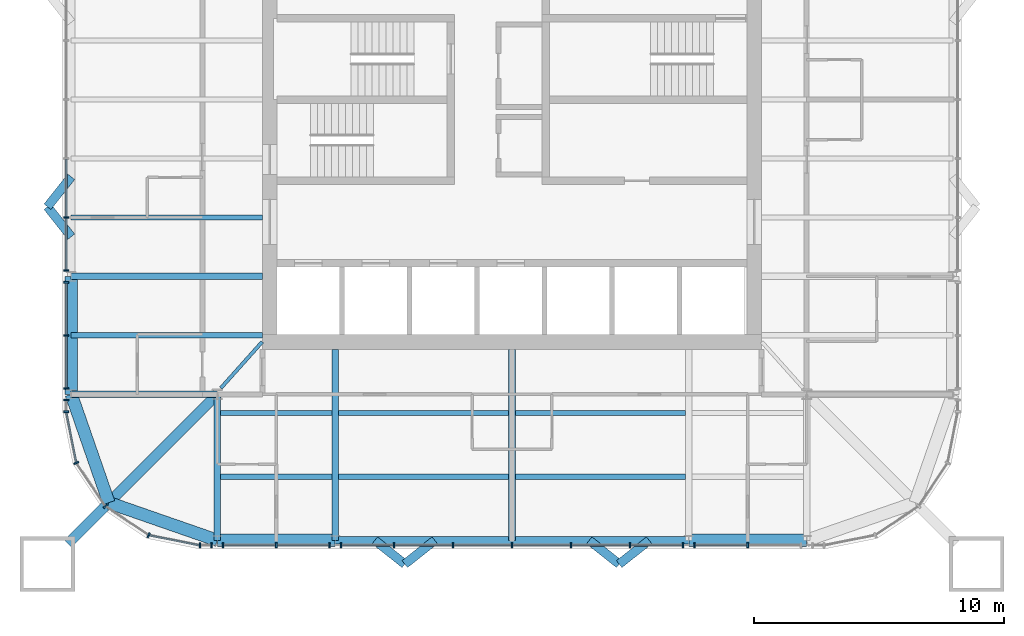
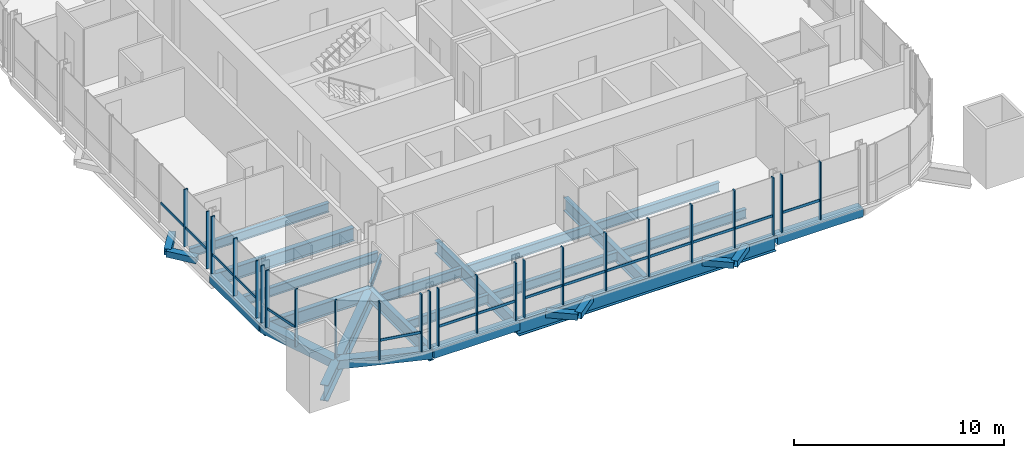
# One storey, part 2 of 17: 39 members, 27 beams, 8 elements without a shape of their own.
"""IFC4 building model written with IfcOpenShell, lengths in metres."""

from ifc_helpers import new_model, si_unit, direction, frame, origin, origin_2d, place, context, subcontext, project, spatial, rectangle, hollow_rectangle, i_section, extrude, material, material_profile, profile_set, type_object, element, aggregate, save


model = new_model("IFC4")

# Units and contexts
model_context = context("Model", 3, precision=1e-05, world=origin(), true_north=direction((0.0, 1.0)))
body_context = subcontext(model_context, "Body", "Model", "MODEL_VIEW")
ifc_project = project(units=[si_unit("LENGTHUNIT", "METRE"), si_unit("AREAUNIT", "SQUARE_METRE"), si_unit("VOLUMEUNIT", "CUBIC_METRE"), si_unit("PLANEANGLEUNIT", "RADIAN"), si_unit("MASSUNIT", "GRAM", prefix="KILO")], contexts=[model_context])

# Site, building, storey
site_placement = place(None, origin())
site = spatial("IfcSite", under=ifc_project, at=site_placement, CompositionType="ELEMENT")
building_placement = place(site_placement, origin())
building = spatial("IfcBuilding", under=site, at=building_placement, Name="Turquesa Mirador Hotel Tower", CompositionType="ELEMENT")
storey_placement = place(building_placement, frame((0.0, 0.0, 244.199951171875)))
storey = spatial("IfcBuildingStorey", under=building, at=storey_placement, Name="L66", CompositionType="ELEMENT", Elevation=244.199951171875)

# Beams
ifc_material_1 = material(Name="Steel ASTM A572 Grade 50", Category="steel")
ifc_material_profile_1 = material_profile(ifc_material_1, hollow_rectangle(XDim=0.5, YDim=0.5, WallThickness=0.01611328125, at=origin_2d()), Name="BOX500X500X16")
ifc_profile_set_1 = profile_set([ifc_material_profile_1], Name="Steel ASTM A572 Grade 50")
beam_type_1 = type_object("IfcBeamType", Name="BEAM BOX500X500X16", PredefinedType="BEAM", material=ifc_profile_set_1)
for number, where, z_axis, x_axis, name in (
    (1, (43.199951171875, 27.35009765625, -0.419921875), (1.0, 0.0, 0.0), (0.0, 1.0, 0.0), "EB-L66-S-L"),
    (2, (62.080078125, 27.35009765625, -0.419921875), (1.0, 0.0, 0.0), (0.0, 1.0, 0.0), "EB-L66-S-R"),
    (3, (37.35009765625, 33.199951171875, -0.419921875), (0.0, 1.0, 0.0), (-1.0, 0.0, 0.0), "EB-L66-W-L"),
):
    element("IfcBeam", number, at=place(storey_placement, frame(where, z_axis=z_axis, x_axis=x_axis)), inside=storey, type_object=beam_type_1, Name=name, PredefinedType="BEAM", context=body_context, shape_type="SweptSolid", body=[
        extrude(hollow_rectangle(XDim=0.5, YDim=0.5, WallThickness=0.01611328125, at=origin_2d()), origin(), (0.0, 0.0, 1.0), 4.719970703125),
    ])
for number, where, z_axis, x_axis, name in (
    (4, (37.35009765625, 33.199951171875, -0.419921875), (0.328170356092, -0.944618556552, 0.0), (0.944618556552, 0.328170356092, 0.0), "KE-L66-3-0"),
    (5, (38.8583984375, 28.8583984375, -0.419921875), (0.944618556552, -0.328170356092, 0.0), (0.328170356092, 0.944618556552, 0.0), "KE-L66-3-1"),
):
    element("IfcBeam", number, at=place(storey_placement, frame(where, z_axis=z_axis, x_axis=x_axis)), inside=storey, type_object=beam_type_1, Name=name, PredefinedType="BEAM", context=body_context, shape_type="SweptSolid", body=[
        extrude(hollow_rectangle(XDim=0.5, YDim=0.5, WallThickness=0.01611328125, at=origin_2d()), origin(), (0.0, 0.0, 1.0), 4.59619140625),
    ])
ifc_material_2 = material(Name="Steel ASTM A992 Grade 50", Category="steel")
ifc_material_profile_2 = material_profile(ifc_material_2, i_section(OverallWidth=0.140380859375, OverallDepth=0.40380859375, WebThickness=0.007080078125, FlangeThickness=0.01123046875, at=origin_2d()), Name="W16X31")
ifc_profile_set_2 = profile_set([ifc_material_profile_2], Name="Steel ASTM A992 Grade 50")
beam_type_2 = type_object("IfcBeamType", Name="BEAM W16X31", PredefinedType="BEAM", material=ifc_profile_set_2)
beam_1_placement = place(storey_placement, frame((43.343505859375, 33.44873046875, -0.371826171875), z_axis=(0.666806350186, 0.745231032198, 0.0), x_axis=(-0.745231032198, 0.666806350186, 0.0)))
element("IfcBeam", 6, at=beam_1_placement, inside=storey, type_object=beam_type_2, Name="KT-L66-3", PredefinedType="BEAM", context=body_context, shape_type="SweptSolid", body=[
    extrude(i_section(OverallWidth=0.140380859375, OverallDepth=0.40380859375, WebThickness=0.007080078125, FlangeThickness=0.01123046875, at=origin_2d()), origin(), (0.0, 0.0, 1.0), 2.484130859375),
])
ifc_material_3 = material(Name="Steel ASTM A992 Grade 50", Category="steel")
ifc_material_profile_3 = material_profile(ifc_material_3, i_section(OverallWidth=0.209228515625, OverallDepth=0.533447265625, WebThickness=0.01025390625, FlangeThickness=0.015625, at=origin_2d()), Name="W21X62")
ifc_profile_set_3 = profile_set([ifc_material_profile_3], Name="Steel ASTM A992 Grade 50")
beam_type_3 = type_object("IfcBeamType", Name="BEAM W21X62", PredefinedType="BEAM", material=ifc_profile_set_3)
beam_2_placement = place(storey_placement, frame((43.333251953125, 32.449951171875, -0.436767578125), z_axis=(1.0, 0.0, 0.0), x_axis=(0.0, 1.0, 0.0)))
element("IfcBeam", 7, at=beam_2_placement, inside=storey, type_object=beam_type_3, Name="IB-L66-S-1-0", PredefinedType="BEAM", context=body_context, shape_type="SweptSolid", body=[
    extrude(i_section(OverallWidth=0.209228515625, OverallDepth=0.533447265625, WebThickness=0.01025390625, FlangeThickness=0.015625, at=origin_2d()), origin(), (0.0, 0.0, 1.0), 4.453369140625),
])
for number, where, z_axis, x_axis, name in (
    (8, (48.053466796875, 32.449951171875, -0.436767578125), (1.0, 0.0, 0.0), (0.0, 1.0, 0.0), "IB-L66-S-1-1"),
    (9, (55.13330078125, 32.449951171875, -0.436767578125), (1.0, 0.0, 0.0), (0.0, 1.0, 0.0), "IB-L66-S-1-2"),
):
    element("IfcBeam", number, at=place(storey_placement, frame(where, z_axis=z_axis, x_axis=x_axis)), inside=storey, type_object=beam_type_3, Name=name, PredefinedType="BEAM", context=body_context, shape_type="SweptSolid", body=[
        extrude(i_section(OverallWidth=0.209228515625, OverallDepth=0.533447265625, WebThickness=0.01025390625, FlangeThickness=0.015625, at=origin_2d()), origin(), (0.0, 0.0, 1.0), 6.813232421875),
    ])
beam_3_placement = place(storey_placement, frame((43.333251953125, 29.89990234375, -0.436767578125), z_axis=(1.0, 0.0, 0.0), x_axis=(0.0, 1.0, 0.0)))
element("IfcBeam", 10, at=beam_3_placement, inside=storey, type_object=beam_type_3, Name="IB-L66-S-2-0", PredefinedType="BEAM", context=body_context, shape_type="SweptSolid", body=[
    extrude(i_section(OverallWidth=0.209228515625, OverallDepth=0.533447265625, WebThickness=0.01025390625, FlangeThickness=0.015625, at=origin_2d()), origin(), (0.0, 0.0, 1.0), 4.453369140625),
])
for number, where, z_axis, x_axis, name in (
    (11, (48.053466796875, 29.89990234375, -0.436767578125), (1.0, 0.0, 0.0), (0.0, 1.0, 0.0), "IB-L66-S-2-1"),
    (12, (55.13330078125, 29.89990234375, -0.436767578125), (1.0, 0.0, 0.0), (0.0, 1.0, 0.0), "IB-L66-S-2-2"),
):
    element("IfcBeam", number, at=place(storey_placement, frame(where, z_axis=z_axis, x_axis=x_axis)), inside=storey, type_object=beam_type_3, Name=name, PredefinedType="BEAM", context=body_context, shape_type="SweptSolid", body=[
        extrude(i_section(OverallWidth=0.209228515625, OverallDepth=0.533447265625, WebThickness=0.01025390625, FlangeThickness=0.015625, at=origin_2d()), origin(), (0.0, 0.0, 1.0), 6.813232421875),
    ])
for number, where, z_axis, x_axis, name in (
    (13, (37.35009765625, 35.56005859375, -0.436767578125), (1.0, 0.0, 0.0), (0.0, 1.0, 0.0), "BM-L66-W--9.44"),
    (14, (37.35009765625, 40.280029296875, -0.436767578125), (1.0, 0.0, 0.0), (0.0, 1.0, 0.0), "BM-L66-W--4.72"),
):
    element("IfcBeam", number, at=place(storey_placement, frame(where, z_axis=z_axis, x_axis=x_axis)), inside=storey, type_object=beam_type_3, Name=name, PredefinedType="BEAM", context=body_context, shape_type="SweptSolid", body=[
        extrude(i_section(OverallWidth=0.209228515625, OverallDepth=0.533447265625, WebThickness=0.01025390625, FlangeThickness=0.015625, at=origin_2d()), origin(), (0.0, 0.0, 1.0), 7.64990234375),
    ])
ifc_material_4 = material(Name="Steel ASTM A992 Grade 50", Category="steel")
ifc_material_profile_4 = material_profile(ifc_material_4, i_section(OverallWidth=0.2666015625, OverallDepth=0.7568359375, WebThickness=0.013916015625, FlangeThickness=0.019287109375, at=origin_2d()), Name="W30X108")
ifc_profile_set_4 = profile_set([ifc_material_profile_4], Name="Steel ASTM A992 Grade 50")
beam_type_4 = type_object("IfcBeamType", Name="BEAM W30X108", PredefinedType="BEAM", material=ifc_profile_set_4)
for number, where, z_axis, x_axis, name in (
    (15, (47.919921875, 27.35009765625, -0.54833984375), (0.0, 1.0, 0.0), (-1.0, 0.0, 0.0), "GD-L66-S--7.08"),
    (16, (55.0, 27.35009765625, -0.54833984375), (0.0, 1.0, 0.0), (-1.0, 0.0, 0.0), "GD-L66-S-+0.00"),
):
    element("IfcBeam", number, at=place(storey_placement, frame(where, z_axis=z_axis, x_axis=x_axis)), inside=storey, type_object=beam_type_4, Name=name, PredefinedType="BEAM", context=body_context, shape_type="SweptSolid", body=[
        extrude(i_section(OverallWidth=0.2666015625, OverallDepth=0.7568359375, WebThickness=0.013916015625, FlangeThickness=0.019287109375, at=origin_2d()), origin(), (0.0, 0.0, 1.0), 7.64990234375),
    ])
beam_4_placement = place(storey_placement, frame((43.199951171875, 27.35009765625, -0.54833984375), z_axis=(0.0, 1.0, 0.0), x_axis=(-1.0, 0.0, 0.0)))
element("IfcBeam", 17, at=beam_4_placement, inside=storey, type_object=beam_type_4, Name="GK-L66-S--11.80", PredefinedType="BEAM", context=body_context, shape_type="SweptSolid", body=[
    extrude(i_section(OverallWidth=0.2666015625, OverallDepth=0.7568359375, WebThickness=0.013916015625, FlangeThickness=0.019287109375, at=origin_2d()), origin(), (0.0, 0.0, 1.0), 5.849853515625),
])
beam_5_placement = place(storey_placement, frame((37.35009765625, 37.919921875, -0.54833984375), z_axis=(1.0, 0.0, 0.0), x_axis=(0.0, 1.0, 0.0)))
element("IfcBeam", 18, at=beam_5_placement, inside=storey, type_object=beam_type_4, Name="GD-L66-W--7.08", PredefinedType="BEAM", context=body_context, shape_type="SweptSolid", body=[
    extrude(i_section(OverallWidth=0.2666015625, OverallDepth=0.7568359375, WebThickness=0.013916015625, FlangeThickness=0.019287109375, at=origin_2d()), origin(), (0.0, 0.0, 1.0), 7.64990234375),
])
beam_6_placement = place(storey_placement, frame((37.35009765625, 33.199951171875, -0.54833984375), z_axis=(1.0, 0.0, 0.0), x_axis=(0.0, 1.0, 0.0)))
element("IfcBeam", 19, at=beam_6_placement, inside=storey, type_object=beam_type_4, Name="GK-L66-W--11.80", PredefinedType="BEAM", context=body_context, shape_type="SweptSolid", body=[
    extrude(i_section(OverallWidth=0.2666015625, OverallDepth=0.7568359375, WebThickness=0.013916015625, FlangeThickness=0.019287109375, at=origin_2d()), origin(), (0.0, 0.0, 1.0), 5.849853515625),
])
ifc_material_5 = material(Name="Steel ASTM A992 Grade 50", Category="steel")
ifc_material_profile_5 = material_profile(ifc_material_5, i_section(OverallWidth=0.3046875, OverallDepth=0.911865234375, WebThickness=0.015869140625, FlangeThickness=0.02392578125, at=origin_2d()), Name="W36X150")
ifc_profile_set_5 = profile_set([ifc_material_profile_5], Name="Steel ASTM A992 Grade 50")
beam_type_5 = type_object("IfcBeamType", Name="BEAM W36X150", PredefinedType="BEAM", material=ifc_profile_set_5)
beam_7_placement = place(storey_placement, frame((47.919921875, 27.35009765625, -0.6259765625), z_axis=(1.0, 0.0, 0.0), x_axis=(0.0, 1.0, 0.0)))
element("IfcBeam", 20, at=beam_7_placement, inside=storey, type_object=beam_type_5, Name="EB-L66-S-C", PredefinedType="BEAM", context=body_context, shape_type="SweptSolid", body=[
    extrude(i_section(OverallWidth=0.3046875, OverallDepth=0.911865234375, WebThickness=0.015869140625, FlangeThickness=0.02392578125, at=origin_2d()), origin(), (0.0, 0.0, 1.0), 14.16015625),
])
ifc_material_6 = material(Name="Steel ASTM A992 Grade 50", Category="steel")
ifc_material_profile_6 = material_profile(ifc_material_6, i_section(OverallWidth=0.419189453125, OverallDepth=0.927001953125, WebThickness=0.019287109375, FlangeThickness=0.031982421875, at=origin_2d()), Name="W36X231")
ifc_profile_set_6 = profile_set([ifc_material_profile_6], Name="Steel ASTM A992 Grade 50")
beam_type_6 = type_object("IfcBeamType", Name="BEAM W36X231", PredefinedType="BEAM", material=ifc_profile_set_6)
beam_8_placement = place(storey_placement, frame((43.199951171875, 33.199951171875, -0.633544921875), z_axis=(-0.707106781187, -0.707106781187, 0.0), x_axis=(0.707106781187, -0.707106781187, 0.0)))
element("IfcBeam", 21, at=beam_8_placement, inside=storey, type_object=beam_type_6, Name="KD-L66-3", PredefinedType="BEAM", context=body_context, shape_type="SweptSolid", body=[
    extrude(i_section(OverallWidth=0.419189453125, OverallDepth=0.927001953125, WebThickness=0.019287109375, FlangeThickness=0.031982421875, at=origin_2d()), origin(), (0.0, 0.0, 1.0), 8.46240234375),
])
ifc_material_7 = material(Name="Steel ASTM A500 Grade C", Category="steel")
ifc_material_profile_7 = material_profile(ifc_material_7, hollow_rectangle(XDim=0.355712890625, YDim=0.355712890625, WallThickness=0.0146484375, at=origin_2d()), Name="HSS14X14X5/8")
ifc_profile_set_7 = profile_set([ifc_material_profile_7], Name="Steel ASTM A500 Grade C")
beam_type_7 = type_object("IfcBeamType", Name="BRACE STRUT HSS14X14X5/8", PredefinedType="BEAM", material=ifc_profile_set_7)
for number, where, z_axis, x_axis, name in (
    (22, (50.707763671875, 26.39990234375, -0.34765625), (-0.783971428146, 0.620796907089, 0.0), (-0.620796907089, -0.783971428146, 0.0), "Brace strut"),
    (23, (50.707763671875, 26.39990234375, -0.34765625), (0.783971428146, 0.620796907089, 0.0), (-0.620796907089, 0.783971428146, 0.0), "Brace strut"),
    (24, (59.292236328125, 26.39990234375, -0.34765625), (-0.783971428146, 0.620796907089, 0.0), (-0.620796907089, -0.783971428146, 0.0), "Brace strut"),
    (25, (59.292236328125, 26.39990234375, -0.34765625), (0.783971428146, 0.620796907089, 0.0), (-0.620796907089, 0.783971428146, 0.0), "Brace strut"),
    (26, (36.39990234375, 40.707763671875, -0.34765625), (0.620796907089, -0.783971428146, 0.0), (0.783971428146, 0.620796907089, 0.0), "Brace strut"),
    (27, (36.39990234375, 40.707763671875, -0.34765625), (0.620796907089, 0.783971428146, 0.0), (-0.783971428146, 0.620796907089, 0.0), "Brace strut"),
):
    element("IfcBeam", number, at=place(storey_placement, frame(where, z_axis=z_axis, x_axis=x_axis)), inside=storey, type_object=beam_type_7, Name=name, PredefinedType="BEAM", context=body_context, shape_type="SweptSolid", body=[
        extrude(hollow_rectangle(XDim=0.355712890625, YDim=0.355712890625, WallThickness=0.0146484375, at=origin_2d()), origin(), (0.0, 0.0, 1.0), 1.530517578125),
    ])

# Curtain wall, members
ifc_material_8 = material(Name="Aluminium extrusion", Category="aluminium")
curtain_wall_type = type_object("IfcCurtainWallType", Name="CW-4 SUITE FRITTED CURTAIN WALL", PredefinedType="USERDEFINED", material=ifc_material_8)
curtain_wall_1_placement = place(storey_placement, origin())
curtain_wall_1 = element("IfcCurtainWall", 28, at=curtain_wall_1_placement, inside=storey, type_object=curtain_wall_type, Name="CW-4 SUITE FRITTED CURTAIN WALL L66", ObjectType="CURTAIN WALL", PredefinedType="USERDEFINED")
ifc_material_9 = material(Name="Aluminium extrusion", Category="aluminium")
ifc_material_profile_8 = material_profile(ifc_material_9, rectangle(XDim=0.06494140625, YDim=0.199951171875, at=origin_2d()), Name="MULLION 65X200")
ifc_profile_set_8 = profile_set([ifc_material_profile_8], Name="Aluminium extrusion")
member_type_1 = type_object("IfcMemberType", Name="CW MULLION 65X200", PredefinedType="MULLION", material=ifc_profile_set_8)
member_1_placement = place(storey_placement, frame((37.14990234375, 40.280029296875, 0.0), z_axis=(0.0, 0.0, 1.0), x_axis=(0.0, -1.0, 0.0)))
member_1 = element("IfcMember", 29, at=member_1_placement, type_object=member_type_1, Name="Mullion", PredefinedType="MULLION", context=body_context, shape_type="SweptSolid", body=[
    extrude(rectangle(XDim=0.06494140625, YDim=0.199951171875, at=origin_2d()), origin(), (0.0, 0.0, 1.0), 3.330078125),
])
member_2_placement = place(storey_placement, frame((37.14990234375, 38.15380859375, 0.0), z_axis=(0.0, 0.0, 1.0), x_axis=(0.0, -1.0, 0.0)))
member_2 = element("IfcMember", 30, at=member_2_placement, type_object=member_type_1, Name="Mullion", PredefinedType="MULLION", context=body_context, shape_type="SweptSolid", body=[
    extrude(rectangle(XDim=0.06494140625, YDim=0.199951171875, at=origin_2d()), origin(), (0.0, 0.0, 1.0), 3.330078125),
])

curtain_wall_2_placement = place(storey_placement, origin())
curtain_wall_2 = element("IfcCurtainWall", 31, at=curtain_wall_2_placement, inside=storey, type_object=curtain_wall_type, Name="CW-4 SUITE FRITTED CURTAIN WALL L66", ObjectType="CURTAIN WALL", PredefinedType="USERDEFINED")
member_3_placement = place(storey_placement, frame((37.14990234375, 37.68603515625, 0.0), z_axis=(0.0, 0.0, 1.0), x_axis=(0.0, -1.0, 0.0)))
member_3 = element("IfcMember", 32, at=member_3_placement, type_object=member_type_1, Name="Mullion", PredefinedType="MULLION", context=body_context, shape_type="SweptSolid", body=[
    extrude(rectangle(XDim=0.06494140625, YDim=0.199951171875, at=origin_2d()), origin(), (0.0, 0.0, 1.0), 3.330078125),
])
member_4_placement = place(storey_placement, frame((37.14990234375, 35.56005859375, 0.0), z_axis=(0.0, 0.0, 1.0), x_axis=(0.0, -1.0, 0.0)))
member_4 = element("IfcMember", 33, at=member_4_placement, type_object=member_type_1, Name="Mullion", PredefinedType="MULLION", context=body_context, shape_type="SweptSolid", body=[
    extrude(rectangle(XDim=0.06494140625, YDim=0.199951171875, at=origin_2d()), origin(), (0.0, 0.0, 1.0), 3.330078125),
])
member_5_placement = place(storey_placement, frame((37.14990234375, 33.433837890625, 0.0), z_axis=(0.0, 0.0, 1.0), x_axis=(0.0, -1.0, 0.0)))
member_5 = element("IfcMember", 34, at=member_5_placement, type_object=member_type_1, Name="Mullion", PredefinedType="MULLION", context=body_context, shape_type="SweptSolid", body=[
    extrude(rectangle(XDim=0.06494140625, YDim=0.199951171875, at=origin_2d()), origin(), (0.0, 0.0, 1.0), 3.330078125),
])

curtain_wall_3_placement = place(storey_placement, origin())
curtain_wall_3 = element("IfcCurtainWall", 35, at=curtain_wall_3_placement, inside=storey, type_object=curtain_wall_type, Name="CW-4 SUITE FRITTED CURTAIN WALL L66", ObjectType="CURTAIN WALL", PredefinedType="USERDEFINED")
member_6_placement = place(storey_placement, frame((37.14990234375, 32.966064453125, 0.0), z_axis=(0.0, 0.0, 1.0), x_axis=(0.0, -1.0, 0.0)))
member_6 = element("IfcMember", 36, at=member_6_placement, type_object=member_type_1, Name="Mullion", PredefinedType="MULLION", context=body_context, shape_type="SweptSolid", body=[
    extrude(rectangle(XDim=0.06494140625, YDim=0.199951171875, at=origin_2d()), origin(), (0.0, 0.0, 1.0), 3.330078125),
])
member_7_placement = place(storey_placement, frame((37.14990234375, 32.5, 0.0), z_axis=(0.0, 0.0, 1.0), x_axis=(0.0, -1.0, 0.0)))
member_7 = element("IfcMember", 37, at=member_7_placement, type_object=member_type_1, Name="Mullion", PredefinedType="MULLION", context=body_context, shape_type="SweptSolid", body=[
    extrude(rectangle(XDim=0.06494140625, YDim=0.199951171875, at=origin_2d()), origin(), (0.0, 0.0, 1.0), 3.330078125),
])
aggregate(curtain_wall_3, [member_6, member_7])

curtain_wall_4_placement = place(storey_placement, origin())
curtain_wall_4 = element("IfcCurtainWall", 38, at=curtain_wall_4_placement, inside=storey, type_object=curtain_wall_type, Name="CW-4 SUITE FRITTED CURTAIN WALL L66", ObjectType="CURTAIN WALL", PredefinedType="USERDEFINED")
member_8_placement = place(storey_placement, frame((37.55712890625, 30.45263671875, 0.0), z_axis=(0.0, 0.0, 1.0), x_axis=(0.382683432365, -0.923879532511, 0.0)))
member_8 = element("IfcMember", 39, at=member_8_placement, type_object=member_type_1, Name="Mullion", PredefinedType="MULLION", context=body_context, shape_type="SweptSolid", body=[
    extrude(rectangle(XDim=0.06494140625, YDim=0.199951171875, at=origin_2d()), origin(), (0.0, 0.0, 1.0), 3.330078125),
])
member_9_placement = place(storey_placement, frame((38.717041015625, 28.717041015625, 0.0), z_axis=(0.0, 0.0, 1.0), x_axis=(0.707106781187, -0.707106781187, 0.0)))
member_9 = element("IfcMember", 40, at=member_9_placement, type_object=member_type_1, Name="Mullion", PredefinedType="MULLION", context=body_context, shape_type="SweptSolid", body=[
    extrude(rectangle(XDim=0.06494140625, YDim=0.199951171875, at=origin_2d()), origin(), (0.0, 0.0, 1.0), 3.330078125),
])
member_10_placement = place(storey_placement, frame((40.45263671875, 27.55712890625, 0.0), z_axis=(0.0, 0.0, 1.0), x_axis=(0.923879532511, -0.382683432365, 0.0)))
member_10 = element("IfcMember", 41, at=member_10_placement, type_object=member_type_1, Name="Mullion", PredefinedType="MULLION", context=body_context, shape_type="SweptSolid", body=[
    extrude(rectangle(XDim=0.06494140625, YDim=0.199951171875, at=origin_2d()), origin(), (0.0, 0.0, 1.0), 3.330078125),
])

curtain_wall_5_placement = place(storey_placement, origin())
curtain_wall_5 = element("IfcCurtainWall", 42, at=curtain_wall_5_placement, inside=storey, type_object=curtain_wall_type, Name="CW-4 SUITE FRITTED CURTAIN WALL L66", ObjectType="CURTAIN WALL", PredefinedType="USERDEFINED")
member_11_placement = place(storey_placement, frame((42.5, 27.14990234375, 0.0), z_axis=(0.0, 0.0, 1.0), x_axis=(1.0, 0.0, 0.0)))
member_11 = element("IfcMember", 43, at=member_11_placement, type_object=member_type_1, Name="Mullion", PredefinedType="MULLION", context=body_context, shape_type="SweptSolid", body=[
    extrude(rectangle(XDim=0.06494140625, YDim=0.199951171875, at=origin_2d()), origin(), (0.0, 0.0, 1.0), 3.330078125),
])
member_12_placement = place(storey_placement, frame((42.966064453125, 27.14990234375, 0.0), z_axis=(0.0, 0.0, 1.0), x_axis=(1.0, 0.0, 0.0)))
member_12 = element("IfcMember", 44, at=member_12_placement, type_object=member_type_1, Name="Mullion", PredefinedType="MULLION", context=body_context, shape_type="SweptSolid", body=[
    extrude(rectangle(XDim=0.06494140625, YDim=0.199951171875, at=origin_2d()), origin(), (0.0, 0.0, 1.0), 3.330078125),
])
aggregate(curtain_wall_5, [member_11, member_12])

curtain_wall_6_placement = place(storey_placement, origin())
curtain_wall_6 = element("IfcCurtainWall", 45, at=curtain_wall_6_placement, inside=storey, type_object=curtain_wall_type, Name="CW-4 SUITE FRITTED CURTAIN WALL L66", ObjectType="CURTAIN WALL", PredefinedType="USERDEFINED")
member_13_placement = place(storey_placement, frame((43.433837890625, 27.14990234375, 0.0), z_axis=(0.0, 0.0, 1.0), x_axis=(1.0, 0.0, 0.0)))
member_13 = element("IfcMember", 46, at=member_13_placement, type_object=member_type_1, Name="Mullion", PredefinedType="MULLION", context=body_context, shape_type="SweptSolid", body=[
    extrude(rectangle(XDim=0.06494140625, YDim=0.199951171875, at=origin_2d()), origin(), (0.0, 0.0, 1.0), 3.330078125),
])
member_14_placement = place(storey_placement, frame((45.56005859375, 27.14990234375, 0.0), z_axis=(0.0, 0.0, 1.0), x_axis=(1.0, 0.0, 0.0)))
member_14 = element("IfcMember", 47, at=member_14_placement, type_object=member_type_1, Name="Mullion", PredefinedType="MULLION", context=body_context, shape_type="SweptSolid", body=[
    extrude(rectangle(XDim=0.06494140625, YDim=0.199951171875, at=origin_2d()), origin(), (0.0, 0.0, 1.0), 3.330078125),
])
member_15_placement = place(storey_placement, frame((47.68603515625, 27.14990234375, 0.0), z_axis=(0.0, 0.0, 1.0), x_axis=(1.0, 0.0, 0.0)))
member_15 = element("IfcMember", 48, at=member_15_placement, type_object=member_type_1, Name="Mullion", PredefinedType="MULLION", context=body_context, shape_type="SweptSolid", body=[
    extrude(rectangle(XDim=0.06494140625, YDim=0.199951171875, at=origin_2d()), origin(), (0.0, 0.0, 1.0), 3.330078125),
])

curtain_wall_7_placement = place(storey_placement, origin())
curtain_wall_7 = element("IfcCurtainWall", 49, at=curtain_wall_7_placement, inside=storey, type_object=curtain_wall_type, Name="CW-4 SUITE FRITTED CURTAIN WALL L66", ObjectType="CURTAIN WALL", PredefinedType="USERDEFINED")
member_16_placement = place(storey_placement, frame((48.15380859375, 27.14990234375, 0.0), z_axis=(0.0, 0.0, 1.0), x_axis=(1.0, 0.0, 0.0)))
member_16 = element("IfcMember", 50, at=member_16_placement, type_object=member_type_1, Name="Mullion", PredefinedType="MULLION", context=body_context, shape_type="SweptSolid", body=[
    extrude(rectangle(XDim=0.06494140625, YDim=0.199951171875, at=origin_2d()), origin(), (0.0, 0.0, 1.0), 3.330078125),
])
member_17_placement = place(storey_placement, frame((50.280029296875, 27.14990234375, 0.0), z_axis=(0.0, 0.0, 1.0), x_axis=(1.0, 0.0, 0.0)))
member_17 = element("IfcMember", 51, at=member_17_placement, type_object=member_type_1, Name="Mullion", PredefinedType="MULLION", context=body_context, shape_type="SweptSolid", body=[
    extrude(rectangle(XDim=0.06494140625, YDim=0.199951171875, at=origin_2d()), origin(), (0.0, 0.0, 1.0), 3.330078125),
])
member_18_placement = place(storey_placement, frame((52.639892578125, 27.14990234375, 0.0), z_axis=(0.0, 0.0, 1.0), x_axis=(1.0, 0.0, 0.0)))
member_18 = element("IfcMember", 52, at=member_18_placement, type_object=member_type_1, Name="Mullion", PredefinedType="MULLION", context=body_context, shape_type="SweptSolid", body=[
    extrude(rectangle(XDim=0.06494140625, YDim=0.199951171875, at=origin_2d()), origin(), (0.0, 0.0, 1.0), 3.330078125),
])
member_19_placement = place(storey_placement, frame((55.0, 27.14990234375, 0.0), z_axis=(0.0, 0.0, 1.0), x_axis=(1.0, 0.0, 0.0)))
member_19 = element("IfcMember", 53, at=member_19_placement, type_object=member_type_1, Name="Mullion", PredefinedType="MULLION", context=body_context, shape_type="SweptSolid", body=[
    extrude(rectangle(XDim=0.06494140625, YDim=0.199951171875, at=origin_2d()), origin(), (0.0, 0.0, 1.0), 3.330078125),
])
member_20_placement = place(storey_placement, frame((57.360107421875, 27.14990234375, 0.0), z_axis=(0.0, 0.0, 1.0), x_axis=(1.0, 0.0, 0.0)))
member_20 = element("IfcMember", 54, at=member_20_placement, type_object=member_type_1, Name="Mullion", PredefinedType="MULLION", context=body_context, shape_type="SweptSolid", body=[
    extrude(rectangle(XDim=0.06494140625, YDim=0.199951171875, at=origin_2d()), origin(), (0.0, 0.0, 1.0), 3.330078125),
])
member_21_placement = place(storey_placement, frame((59.719970703125, 27.14990234375, 0.0), z_axis=(0.0, 0.0, 1.0), x_axis=(1.0, 0.0, 0.0)))
member_21 = element("IfcMember", 55, at=member_21_placement, type_object=member_type_1, Name="Mullion", PredefinedType="MULLION", context=body_context, shape_type="SweptSolid", body=[
    extrude(rectangle(XDim=0.06494140625, YDim=0.199951171875, at=origin_2d()), origin(), (0.0, 0.0, 1.0), 3.330078125),
])
member_22_placement = place(storey_placement, frame((61.84619140625, 27.14990234375, 0.0), z_axis=(0.0, 0.0, 1.0), x_axis=(1.0, 0.0, 0.0)))
member_22 = element("IfcMember", 56, at=member_22_placement, type_object=member_type_1, Name="Mullion", PredefinedType="MULLION", context=body_context, shape_type="SweptSolid", body=[
    extrude(rectangle(XDim=0.06494140625, YDim=0.199951171875, at=origin_2d()), origin(), (0.0, 0.0, 1.0), 3.330078125),
])

curtain_wall_8_placement = place(storey_placement, origin())
curtain_wall_8 = element("IfcCurtainWall", 57, at=curtain_wall_8_placement, inside=storey, type_object=curtain_wall_type, Name="CW-4 SUITE FRITTED CURTAIN WALL L66", ObjectType="CURTAIN WALL", PredefinedType="USERDEFINED")
member_23_placement = place(storey_placement, frame((62.31396484375, 27.14990234375, 0.0), z_axis=(0.0, 0.0, 1.0), x_axis=(1.0, 0.0, 0.0)))
member_23 = element("IfcMember", 58, at=member_23_placement, type_object=member_type_1, Name="Mullion", PredefinedType="MULLION", context=body_context, shape_type="SweptSolid", body=[
    extrude(rectangle(XDim=0.06494140625, YDim=0.199951171875, at=origin_2d()), origin(), (0.0, 0.0, 1.0), 3.330078125),
])
member_24_placement = place(storey_placement, frame((64.43994140625, 27.14990234375, 0.0), z_axis=(0.0, 0.0, 1.0), x_axis=(1.0, 0.0, 0.0)))
member_24 = element("IfcMember", 59, at=member_24_placement, type_object=member_type_1, Name="Mullion", PredefinedType="MULLION", context=body_context, shape_type="SweptSolid", body=[
    extrude(rectangle(XDim=0.06494140625, YDim=0.199951171875, at=origin_2d()), origin(), (0.0, 0.0, 1.0), 3.330078125),
])

# Member
ifc_material_10 = material(Name="Aluminium extrusion", Category="aluminium")
ifc_material_profile_9 = material_profile(ifc_material_10, rectangle(XDim=0.06494140625, YDim=0.14990234375, at=origin_2d()), Name="TRANSOM 65X150")
ifc_profile_set_9 = profile_set([ifc_material_profile_9], Name="Aluminium extrusion")
member_type_2 = type_object("IfcMemberType", Name="CW TRANSOM 65X150", PredefinedType="USERDEFINED", material=ifc_profile_set_9)
member_25_placement = place(storey_placement, frame((37.14990234375, 42.607421875, 1.10009765625), z_axis=(0.0, -1.0, 0.0), x_axis=(1.0, 0.0, 0.0)))
member_25 = element("IfcMember", 60, at=member_25_placement, type_object=member_type_2, Name="Transom", ObjectType="TRANSOM", PredefinedType="USERDEFINED", context=body_context, shape_type="SweptSolid", body=[
    extrude(rectangle(XDim=0.06494140625, YDim=0.14990234375, at=origin_2d()), origin(), (0.0, 0.0, 1.0), 2.294921875),
])

member_26_placement = place(storey_placement, frame((37.14990234375, 40.24755859375, 1.10009765625), z_axis=(0.0, -1.0, 0.0), x_axis=(1.0, 0.0, 0.0)))
member_26 = element("IfcMember", 61, at=member_26_placement, type_object=member_type_2, Name="Transom", ObjectType="TRANSOM", PredefinedType="USERDEFINED", context=body_context, shape_type="SweptSolid", body=[
    extrude(rectangle(XDim=0.06494140625, YDim=0.14990234375, at=origin_2d()), origin(), (0.0, 0.0, 1.0), 2.061279296875),
])

aggregate(curtain_wall_1, [member_1, member_2, member_25, member_26])

member_27_placement = place(storey_placement, frame((37.14990234375, 37.653564453125, 1.10009765625), z_axis=(0.0, -1.0, 0.0), x_axis=(1.0, 0.0, 0.0)))
member_27 = element("IfcMember", 62, at=member_27_placement, type_object=member_type_2, Name="Transom", ObjectType="TRANSOM", PredefinedType="USERDEFINED", context=body_context, shape_type="SweptSolid", body=[
    extrude(rectangle(XDim=0.06494140625, YDim=0.14990234375, at=origin_2d()), origin(), (0.0, 0.0, 1.0), 2.06103515625),
])

member_28_placement = place(storey_placement, frame((37.14990234375, 35.527587890625, 1.10009765625), z_axis=(0.0, -1.0, 0.0), x_axis=(1.0, 0.0, 0.0)))
member_28 = element("IfcMember", 63, at=member_28_placement, type_object=member_type_2, Name="Transom", ObjectType="TRANSOM", PredefinedType="USERDEFINED", context=body_context, shape_type="SweptSolid", body=[
    extrude(rectangle(XDim=0.06494140625, YDim=0.14990234375, at=origin_2d()), origin(), (0.0, 0.0, 1.0), 2.061279296875),
])

aggregate(curtain_wall_2, [member_3, member_4, member_5, member_27, member_28])

member_29_placement = place(storey_placement, frame((37.15625, 32.468017578125, 1.10009765625), z_axis=(0.195210621934, -0.980761343592, 0.0), x_axis=(0.980761343592, 0.195210621934, 0.0)))
member_29 = element("IfcMember", 64, at=member_29_placement, type_object=member_type_2, Name="Transom", ObjectType="TRANSOM", PredefinedType="USERDEFINED", context=body_context, shape_type="SweptSolid", body=[
    extrude(rectangle(XDim=0.06494140625, YDim=0.14990234375, at=origin_2d()), origin(), (0.0, 0.0, 1.0), 2.022216796875),
])

member_30_placement = place(storey_placement, frame((40.484619140625, 27.551025390625, 1.10009765625), z_axis=(0.980761343592, -0.195210621934, 0.0), x_axis=(0.195210621934, 0.980761343592, 0.0)))
member_30 = element("IfcMember", 65, at=member_30_placement, type_object=member_type_2, Name="Transom", ObjectType="TRANSOM", PredefinedType="USERDEFINED", context=body_context, shape_type="SweptSolid", body=[
    extrude(rectangle(XDim=0.06494140625, YDim=0.14990234375, at=origin_2d()), origin(), (0.0, 0.0, 1.0), 2.022216796875),
])

aggregate(curtain_wall_4, [member_8, member_9, member_10, member_29, member_30])

member_31_placement = place(storey_placement, frame((43.46630859375, 27.14990234375, 1.10009765625), z_axis=(1.0, 0.0, 0.0), x_axis=(0.0, 1.0, 0.0)))
member_31 = element("IfcMember", 66, at=member_31_placement, type_object=member_type_2, Name="Transom", ObjectType="TRANSOM", PredefinedType="USERDEFINED", context=body_context, shape_type="SweptSolid", body=[
    extrude(rectangle(XDim=0.06494140625, YDim=0.14990234375, at=origin_2d()), origin(), (0.0, 0.0, 1.0), 2.061279296875),
])

member_32_placement = place(storey_placement, frame((45.592529296875, 27.14990234375, 1.10009765625), z_axis=(1.0, 0.0, 0.0), x_axis=(0.0, 1.0, 0.0)))
member_32 = element("IfcMember", 67, at=member_32_placement, type_object=member_type_2, Name="Transom", ObjectType="TRANSOM", PredefinedType="USERDEFINED", context=body_context, shape_type="SweptSolid", body=[
    extrude(rectangle(XDim=0.06494140625, YDim=0.14990234375, at=origin_2d()), origin(), (0.0, 0.0, 1.0), 2.06103515625),
])

aggregate(curtain_wall_6, [member_13, member_14, member_15, member_31, member_32])

member_33_placement = place(storey_placement, frame((48.186279296875, 27.14990234375, 1.10009765625), z_axis=(1.0, 0.0, 0.0), x_axis=(0.0, 1.0, 0.0)))
member_33 = element("IfcMember", 68, at=member_33_placement, type_object=member_type_2, Name="Transom", ObjectType="TRANSOM", PredefinedType="USERDEFINED", context=body_context, shape_type="SweptSolid", body=[
    extrude(rectangle(XDim=0.06494140625, YDim=0.14990234375, at=origin_2d()), origin(), (0.0, 0.0, 1.0), 2.061279296875),
])

member_34_placement = place(storey_placement, frame((50.3125, 27.14990234375, 1.10009765625), z_axis=(1.0, 0.0, 0.0), x_axis=(0.0, 1.0, 0.0)))
member_34 = element("IfcMember", 69, at=member_34_placement, type_object=member_type_2, Name="Transom", ObjectType="TRANSOM", PredefinedType="USERDEFINED", context=body_context, shape_type="SweptSolid", body=[
    extrude(rectangle(XDim=0.06494140625, YDim=0.14990234375, at=origin_2d()), origin(), (0.0, 0.0, 1.0), 2.294921875),
])

member_35_placement = place(storey_placement, frame((52.672607421875, 27.14990234375, 1.10009765625), z_axis=(1.0, 0.0, 0.0), x_axis=(0.0, 1.0, 0.0)))
member_35 = element("IfcMember", 70, at=member_35_placement, type_object=member_type_2, Name="Transom", ObjectType="TRANSOM", PredefinedType="USERDEFINED", context=body_context, shape_type="SweptSolid", body=[
    extrude(rectangle(XDim=0.06494140625, YDim=0.14990234375, at=origin_2d()), origin(), (0.0, 0.0, 1.0), 2.294921875),
])

member_36_placement = place(storey_placement, frame((55.032470703125, 27.14990234375, 1.10009765625), z_axis=(1.0, 0.0, 0.0), x_axis=(0.0, 1.0, 0.0)))
member_36 = element("IfcMember", 71, at=member_36_placement, type_object=member_type_2, Name="Transom", ObjectType="TRANSOM", PredefinedType="USERDEFINED", context=body_context, shape_type="SweptSolid", body=[
    extrude(rectangle(XDim=0.06494140625, YDim=0.14990234375, at=origin_2d()), origin(), (0.0, 0.0, 1.0), 2.294921875),
])

member_37_placement = place(storey_placement, frame((57.392578125, 27.14990234375, 1.10009765625), z_axis=(1.0, 0.0, 0.0), x_axis=(0.0, 1.0, 0.0)))
member_37 = element("IfcMember", 72, at=member_37_placement, type_object=member_type_2, Name="Transom", ObjectType="TRANSOM", PredefinedType="USERDEFINED", context=body_context, shape_type="SweptSolid", body=[
    extrude(rectangle(XDim=0.06494140625, YDim=0.14990234375, at=origin_2d()), origin(), (0.0, 0.0, 1.0), 2.294921875),
])

member_38_placement = place(storey_placement, frame((59.75244140625, 27.14990234375, 1.10009765625), z_axis=(1.0, 0.0, 0.0), x_axis=(0.0, 1.0, 0.0)))
member_38 = element("IfcMember", 73, at=member_38_placement, type_object=member_type_2, Name="Transom", ObjectType="TRANSOM", PredefinedType="USERDEFINED", context=body_context, shape_type="SweptSolid", body=[
    extrude(rectangle(XDim=0.06494140625, YDim=0.14990234375, at=origin_2d()), origin(), (0.0, 0.0, 1.0), 2.061279296875),
])

aggregate(curtain_wall_7, [member_16, member_17, member_18, member_19, member_20, member_21, member_22, member_33, member_34, member_35, member_36, member_37, member_38])

member_39_placement = place(storey_placement, frame((62.346435546875, 27.14990234375, 1.10009765625), z_axis=(1.0, 0.0, 0.0), x_axis=(0.0, 1.0, 0.0)))
member_39 = element("IfcMember", 74, at=member_39_placement, type_object=member_type_2, Name="Transom", ObjectType="TRANSOM", PredefinedType="USERDEFINED", context=body_context, shape_type="SweptSolid", body=[
    extrude(rectangle(XDim=0.06494140625, YDim=0.14990234375, at=origin_2d()), origin(), (0.0, 0.0, 1.0), 2.06103515625),
])

aggregate(curtain_wall_8, [member_23, member_24, member_39])

save(model, "model.ifc")
